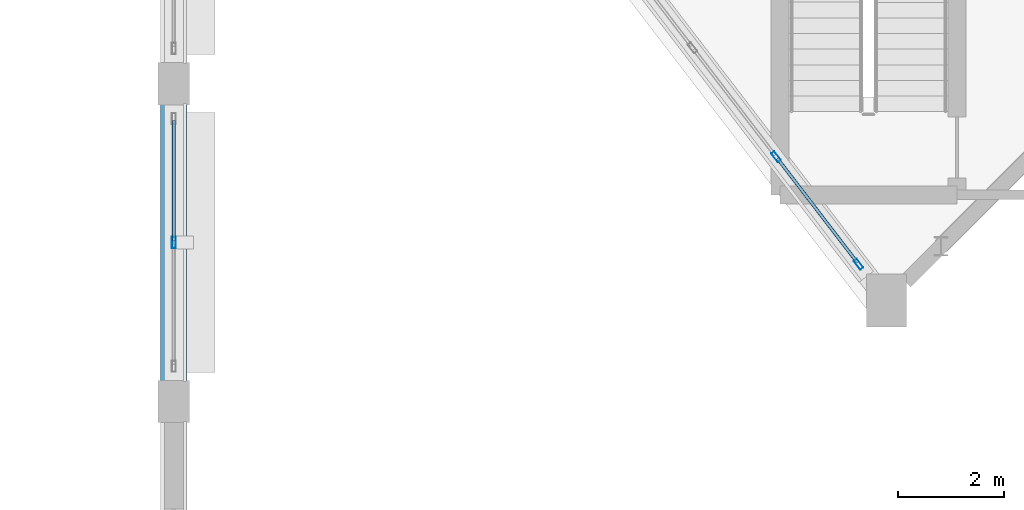
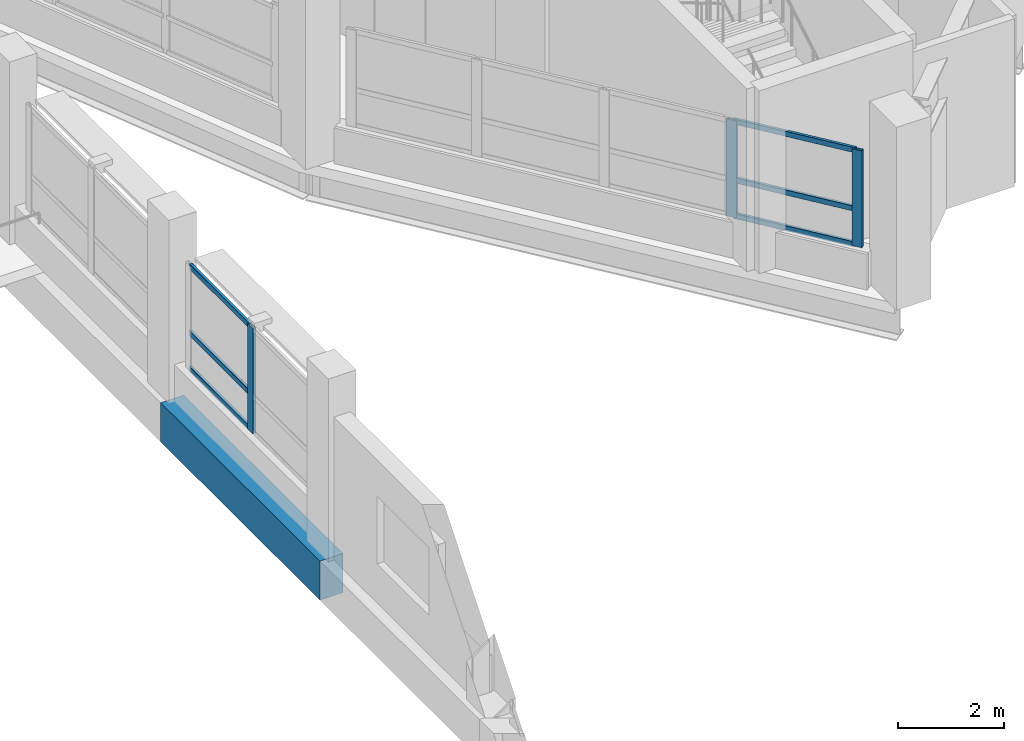
# One storey, part 21 of 128: 9 members, 1 beam, 2 elements without a shape of their own.
"""IFC4 building model written with IfcOpenShell, lengths in metres."""

from ifc_helpers import new_model, si_unit, direction, frame, origin, origin_2d, place, context, subcontext, project, spatial, rectangle, hollow_rectangle, extrude, material, layer, layer_set, material_profile, profile_set, type_object, element, aggregate, save


model = new_model("IFC4")

# Units and contexts
model_context = context("Model", 3, precision=1e-05, world=origin(), true_north=direction((0.0, 1.0)))
body_context = subcontext(model_context, "Body", "Model", "MODEL_VIEW")
ifc_project = project(units=[si_unit("LENGTHUNIT", "METRE"), si_unit("AREAUNIT", "SQUARE_METRE"), si_unit("VOLUMEUNIT", "CUBIC_METRE"), si_unit("PLANEANGLEUNIT", "RADIAN"), si_unit("MASSUNIT", "GRAM", prefix="KILO")], contexts=[model_context])

# Site, building, storey
site_placement = place(None, origin())
site = spatial("IfcSite", under=ifc_project, at=site_placement, CompositionType="ELEMENT")
building_placement = place(site_placement, origin())
building = spatial("IfcBuilding", under=site, at=building_placement, Name="Vespera Passage Community Centre", CompositionType="ELEMENT")
storey_placement = place(building_placement, frame((0.0, 0.0, 4.5)))
storey = spatial("IfcBuildingStorey", under=building, at=storey_placement, Name="L01", CompositionType="ELEMENT", Elevation=4.5)

# Beam
ifc_material_1 = material(Name="Concrete f'c 45 MPa", Category="concrete")
ifc_material_profile_1 = material_profile(ifc_material_1, rectangle(XDim=0.5, YDim=0.89990234375, at=origin_2d()), Name="RC500X900")
ifc_profile_set_1 = profile_set([ifc_material_profile_1], Name="Concrete f'c 45 MPa")
beam_type = type_object("IfcBeamType", Name="BM-SP-500X900E", PredefinedType="SPANDREL", material=ifc_profile_set_1)
beam_placement = place(storey_placement, frame((31.949951171875, 31.0, -0.68994140625), z_axis=(0.0, 1.0, 0.0), x_axis=(-1.0, 0.0, 0.0)))
element("IfcBeam", 1, at=beam_placement, inside=storey, type_object=beam_type, Name="V1 L01 Spandrel E5", PredefinedType="SPANDREL", context=body_context, shape_type="SweptSolid", body=[
    extrude(rectangle(XDim=0.5, YDim=0.89990234375, at=origin_2d()), origin(), (0.0, 0.0, 1.0), 6.0),
])

# Curtain wall, members
ifc_material_2 = material(Name="Anodized aluminium 6063-T6", Category="aluminium")
ifc_layer_1 = layer(ifc_material_2, 0.159912109375)
ifc_layer_set_1 = layer_set([ifc_layer_1], Name="Anodized aluminium 6063-T6")
curtain_wall_type_1 = type_object("IfcCurtainWallType", Name="CW-23E", PredefinedType="NOTDEFINED", material=ifc_layer_set_1)
curtain_wall_1_placement = place(storey_placement, origin())
curtain_wall_1 = element("IfcCurtainWall", 2, at=curtain_wall_1_placement, inside=storey, type_object=curtain_wall_type_1, Name="V4 L01 Outer Ribbon Curtain Wall 14", PredefinedType="NOTDEFINED")
ifc_material_3 = material(Name="Anodized aluminium 6063-T6", Category="aluminium")
ifc_material_profile_2 = material_profile(ifc_material_3, hollow_rectangle(XDim=0.074951171875, YDim=0.2099609375, WallThickness=0.0048828125, InnerFilletRadius=0.00244140625, OuterFilletRadius=0.0048828125, at=origin_2d()), Name="ALU210X75X5")
ifc_profile_set_2 = profile_set([ifc_material_profile_2], Name="Anodized aluminium 6063-T6")
member_type_1 = type_object("IfcMemberType", Name="MB-CWM-210E", PredefinedType="MULLION", material=ifc_profile_set_2)
member_1_placement = place(storey_placement, frame((44.873779296875, 33.591552734375, 0.820068359375), z_axis=(0.0, 0.0, 1.0), x_axis=(-0.793350257139, -0.608765447029, 0.0)))
member_1 = element("IfcMember", 3, at=member_1_placement, type_object=member_type_1, Name="CW-23E mullion 1", PredefinedType="MULLION", context=body_context, shape_type="SweptSolid", body=[
    extrude(hollow_rectangle(XDim=0.074951171875, YDim=0.2099609375, WallThickness=0.0048828125, InnerFilletRadius=0.00244140625, OuterFilletRadius=0.0048828125, at=origin_2d()), origin(), (0.0, 0.0, 1.0), 2.2255859375),
])
member_2_placement = place(storey_placement, frame((43.31787109375, 35.618896484375, 0.820068359375), z_axis=(0.0, 0.0, 1.0), x_axis=(-0.793350257139, -0.608765447029, 0.0)))
member_2 = element("IfcMember", 4, at=member_2_placement, type_object=member_type_1, Name="CW-23E mullion 2", PredefinedType="MULLION", context=body_context, shape_type="SweptSolid", body=[
    extrude(hollow_rectangle(XDim=0.074951171875, YDim=0.2099609375, WallThickness=0.0048828125, InnerFilletRadius=0.00244140625, OuterFilletRadius=0.0048828125, at=origin_2d()), origin(), (0.0, 0.0, 1.0), 2.2255859375),
])

# Curtain wall, member
ifc_material_4 = material(Name="Anodized aluminium 6063-T6", Category="aluminium")
ifc_layer_2 = layer(ifc_material_4, 0.159912109375)
ifc_layer_set_2 = layer_set([ifc_layer_2], Name="Anodized aluminium 6063-T6")
curtain_wall_type_2 = type_object("IfcCurtainWallType", Name="CW-84E", PredefinedType="NOTDEFINED", material=ifc_layer_set_2)
curtain_wall_2_placement = place(storey_placement, origin())
curtain_wall_2 = element("IfcCurtainWall", 5, at=curtain_wall_2_placement, inside=storey, type_object=curtain_wall_type_2, Name="Main Hall Acoustic Curtain Wall L01 E5", PredefinedType="NOTDEFINED")
member_3_placement = place(storey_placement, frame((31.949951171875, 34.0, 0.85009765625), z_axis=(0.0, 0.0, 1.0), x_axis=(1.0, 0.0, 0.0)))
member_3 = element("IfcMember", 6, at=member_3_placement, type_object=member_type_1, Name="CW-84E mullion 2", PredefinedType="MULLION", context=body_context, shape_type="SweptSolid", body=[
    extrude(hollow_rectangle(XDim=0.074951171875, YDim=0.2099609375, WallThickness=0.0048828125, InnerFilletRadius=0.00244140625, OuterFilletRadius=0.0048828125, at=origin_2d()), origin(), (0.0, 0.0, 1.0), 2.414794921875),
])

# Member
ifc_material_5 = material(Name="Anodized aluminium 6063-T6", Category="aluminium")
ifc_material_profile_3 = material_profile(ifc_material_5, hollow_rectangle(XDim=0.06005859375, YDim=0.1201171875, WallThickness=0.00390625, InnerFilletRadius=0.001953125, OuterFilletRadius=0.00390625, at=origin_2d()), Name="ALU120X60X4")
ifc_profile_set_3 = profile_set([ifc_material_profile_3], Name="Anodized aluminium 6063-T6")
member_type_2 = type_object("IfcMemberType", Name="MB-CWT-120E", PredefinedType="USERDEFINED", material=ifc_profile_set_3)
member_4_placement = place(storey_placement, frame((44.850830078125, 33.62109375, 0.85009765625), z_axis=(-0.608735234275, 0.79337343953, 0.0), x_axis=(-0.79337343953, -0.608735234275, 0.0)))
member_4 = element("IfcMember", 7, at=member_4_placement, type_object=member_type_2, Name="CW-23E transom 1.1", ObjectType="TRANSOM", PredefinedType="USERDEFINED", context=body_context, shape_type="SweptSolid", body=[
    extrude(hollow_rectangle(XDim=0.06005859375, YDim=0.1201171875, WallThickness=0.00390625, InnerFilletRadius=0.001953125, OuterFilletRadius=0.00390625, at=origin_2d()), origin(), (0.0, 0.0, 1.0), 2.48046875),
])

member_5_placement = place(storey_placement, frame((44.850830078125, 33.62109375, 1.669921875), z_axis=(-0.608735234275, 0.79337343953, 0.0), x_axis=(-0.79337343953, -0.608735234275, 0.0)))
member_5 = element("IfcMember", 8, at=member_5_placement, type_object=member_type_2, Name="CW-23E transom 1.2", ObjectType="TRANSOM", PredefinedType="USERDEFINED", context=body_context, shape_type="SweptSolid", body=[
    extrude(hollow_rectangle(XDim=0.06005859375, YDim=0.1201171875, WallThickness=0.00390625, InnerFilletRadius=0.001953125, OuterFilletRadius=0.00390625, at=origin_2d()), origin(), (0.0, 0.0, 1.0), 2.48046875),
])

member_6_placement = place(storey_placement, frame((44.850830078125, 33.62109375, 3.015625), z_axis=(-0.608735234275, 0.79337343953, 0.0), x_axis=(-0.79337343953, -0.608735234275, 0.0)))
member_6 = element("IfcMember", 9, at=member_6_placement, type_object=member_type_2, Name="CW-23E transom 1.3", ObjectType="TRANSOM", PredefinedType="USERDEFINED", context=body_context, shape_type="SweptSolid", body=[
    extrude(hollow_rectangle(XDim=0.06005859375, YDim=0.1201171875, WallThickness=0.00390625, InnerFilletRadius=0.001953125, OuterFilletRadius=0.00390625, at=origin_2d()), origin(), (0.0, 0.0, 1.0), 2.48046875),
])

aggregate(curtain_wall_1, [member_1, member_2, member_4, member_5, member_6])

member_7_placement = place(storey_placement, frame((31.949951171875, 36.300048828125, 0.8798828125), z_axis=(0.0, -1.0, 0.0), x_axis=(1.0, 0.0, 0.0)))
member_7 = element("IfcMember", 10, at=member_7_placement, type_object=member_type_2, Name="CW-84E transom 1.1", ObjectType="TRANSOM", PredefinedType="USERDEFINED", context=body_context, shape_type="SweptSolid", body=[
    extrude(hollow_rectangle(XDim=0.06005859375, YDim=0.1201171875, WallThickness=0.00390625, InnerFilletRadius=0.001953125, OuterFilletRadius=0.00390625, at=origin_2d()), origin(), (0.0, 0.0, 1.0), 2.262451171875),
])

member_8_placement = place(storey_placement, frame((31.949951171875, 36.300048828125, 1.699951171875), z_axis=(0.0, -1.0, 0.0), x_axis=(1.0, 0.0, 0.0)))
member_8 = element("IfcMember", 11, at=member_8_placement, type_object=member_type_2, Name="CW-84E transom 1.2", ObjectType="TRANSOM", PredefinedType="USERDEFINED", context=body_context, shape_type="SweptSolid", body=[
    extrude(hollow_rectangle(XDim=0.06005859375, YDim=0.1201171875, WallThickness=0.00390625, InnerFilletRadius=0.001953125, OuterFilletRadius=0.00390625, at=origin_2d()), origin(), (0.0, 0.0, 1.0), 2.262451171875),
])

member_9_placement = place(storey_placement, frame((31.949951171875, 36.300048828125, 3.235107421875), z_axis=(0.0, -1.0, 0.0), x_axis=(1.0, 0.0, 0.0)))
member_9 = element("IfcMember", 12, at=member_9_placement, type_object=member_type_2, Name="CW-84E transom 1.3", ObjectType="TRANSOM", PredefinedType="USERDEFINED", context=body_context, shape_type="SweptSolid", body=[
    extrude(hollow_rectangle(XDim=0.06005859375, YDim=0.1201171875, WallThickness=0.00390625, InnerFilletRadius=0.001953125, OuterFilletRadius=0.00390625, at=origin_2d()), origin(), (0.0, 0.0, 1.0), 2.262451171875),
])

aggregate(curtain_wall_2, [member_3, member_7, member_8, member_9])

save(model, "model.ifc")
